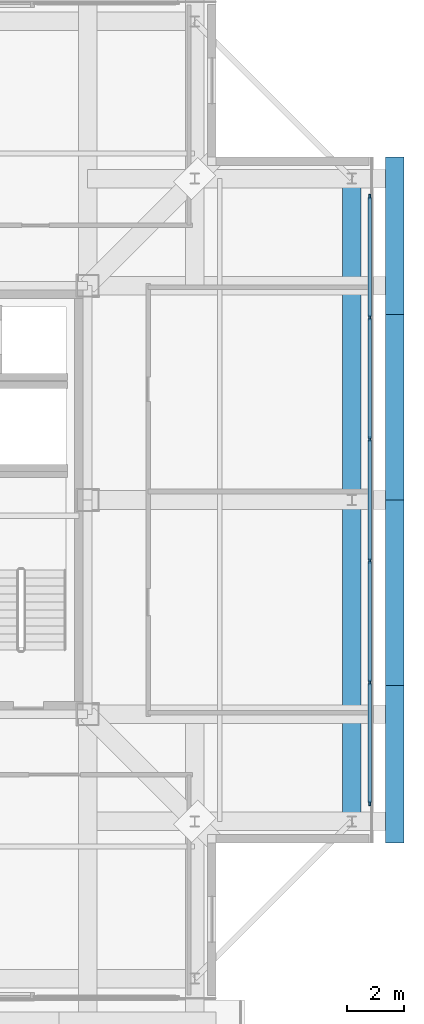
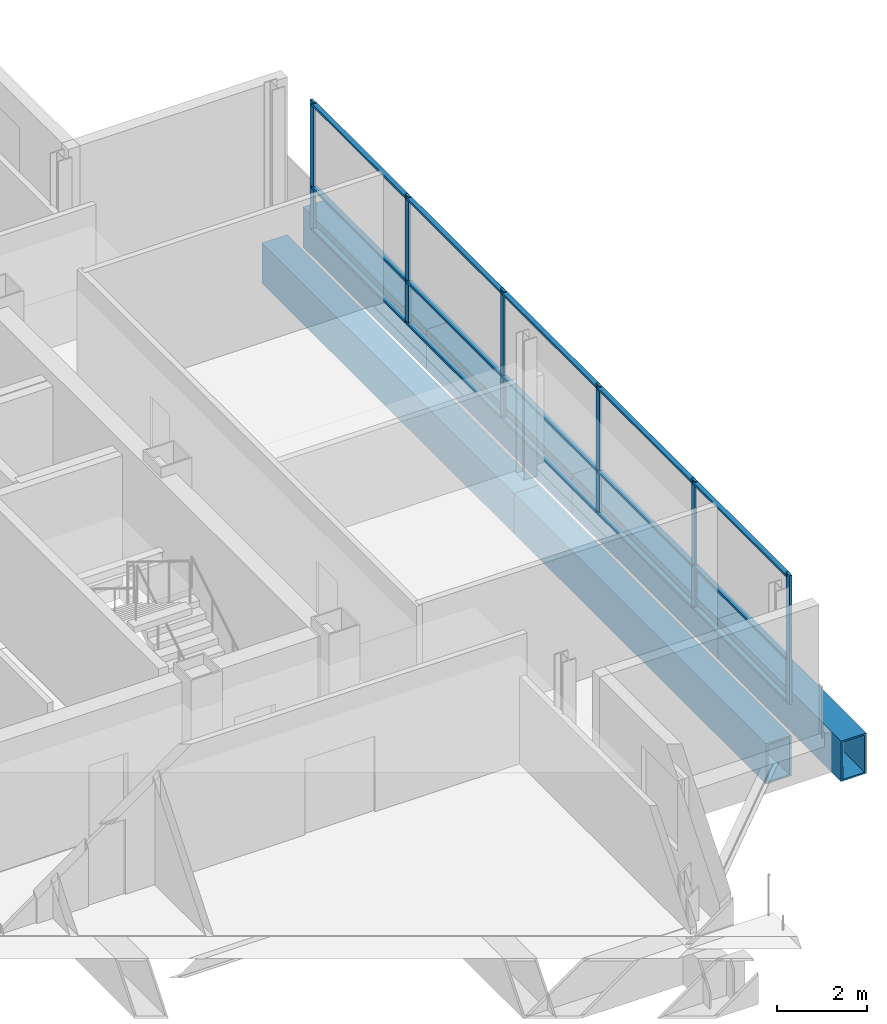
# One storey, part 6 of 15: 21 members, 6 beams, 1 element without a shape of its own.
"""IFC4 building model written with IfcOpenShell, lengths in metres."""

from ifc_helpers import new_model, si_unit, direction, frame, origin, origin_2d, place, context, subcontext, project, spatial, rectangle, hollow_rectangle, extrude, material, layer, layer_set, material_profile, profile_set, type_object, element, aggregate, save


model = new_model("IFC4")

# Units and contexts
model_context = context("Model", 3, precision=1e-05, world=origin(), true_north=direction((0.0, 1.0)))
body_context = subcontext(model_context, "Body", "Model", "MODEL_VIEW")
ifc_project = project(units=[si_unit("LENGTHUNIT", "METRE"), si_unit("AREAUNIT", "SQUARE_METRE"), si_unit("VOLUMEUNIT", "CUBIC_METRE"), si_unit("PLANEANGLEUNIT", "RADIAN"), si_unit("MASSUNIT", "GRAM", prefix="KILO")], contexts=[model_context])

# Site, building, storey
site_placement = place(None, origin())
site = spatial("IfcSite", under=ifc_project, at=site_placement, CompositionType="ELEMENT")
building_placement = place(site_placement, origin())
building = spatial("IfcBuilding", under=site, at=building_placement, Name="Trevonay Congress Spire", CompositionType="ELEMENT")
storey_placement = place(building_placement, frame((0.0, 0.0, 300.800048828125)))
storey = spatial("IfcBuildingStorey", under=building, at=storey_placement, Name="L79", CompositionType="ELEMENT", Elevation=300.800048828125)

# Beams
ifc_material_1 = material(Name="Steel ASTM A572 Grade 50", Category="steel")
ifc_material_profile_1 = material_profile(ifc_material_1, hollow_rectangle(XDim=0.64990234375, YDim=1.10009765625, WallThickness=0.044921875, at=origin_2d()), Name="BOX 1100x650x45")
ifc_profile_set_1 = profile_set([ifc_material_profile_1], Name="Steel ASTM A572 Grade 50")
beam_type = type_object("IfcBeamType", Name="BM-RING-BOX1100", PredefinedType="BEAM", material=ifc_profile_set_1)
for number, where, z_axis, x_axis, name in (
    (1, (16.75, -11.25, -0.949951171875), (0.0, 1.0, 0.0), (-1.0, 0.0, 0.0), "L79 structural beam BM-L79-PE1"),
    (2, (16.75, 0.0, -0.949951171875), (0.0, 1.0, 0.0), (-1.0, 0.0, 0.0), "L79 structural beam BM-L79-PE2"),
):
    element("IfcBeam", number, at=place(storey_placement, frame(where, z_axis=z_axis, x_axis=x_axis)), inside=storey, type_object=beam_type, Name=name, PredefinedType="BEAM", context=body_context, shape_type="SweptSolid", body=[
        extrude(hollow_rectangle(XDim=0.64990234375, YDim=1.10009765625, WallThickness=0.044921875, at=origin_2d()), origin(), (0.0, 0.0, 1.0), 11.25),
    ])
beam_1_placement = place(storey_placement, frame((18.25, -12.0, -0.949951171875), z_axis=(0.0, 1.0, 0.0), x_axis=(-1.0, 0.0, 0.0)))
element("IfcBeam", 3, at=beam_1_placement, inside=storey, type_object=beam_type, Name="L79 structural beam XOUT-L79-E0", PredefinedType="BEAM", context=body_context, shape_type="SweptSolid", body=[
    extrude(hollow_rectangle(XDim=0.64990234375, YDim=1.10009765625, WallThickness=0.044921875, at=origin_2d()), origin(), (0.0, 0.0, 1.0), 5.5),
])
for number, where, z_axis, x_axis, name in (
    (4, (18.25, -6.5, -0.949951171875), (0.0, 1.0, 0.0), (-1.0, 0.0, 0.0), "L79 structural beam XOUT-L79-E1"),
    (5, (18.25, 0.0, -0.949951171875), (0.0, 1.0, 0.0), (-1.0, 0.0, 0.0), "L79 structural beam XOUT-L79-E2"),
):
    element("IfcBeam", number, at=place(storey_placement, frame(where, z_axis=z_axis, x_axis=x_axis)), inside=storey, type_object=beam_type, Name=name, PredefinedType="BEAM", context=body_context, shape_type="SweptSolid", body=[
        extrude(hollow_rectangle(XDim=0.64990234375, YDim=1.10009765625, WallThickness=0.044921875, at=origin_2d()), origin(), (0.0, 0.0, 1.0), 6.5),
    ])
beam_2_placement = place(storey_placement, frame((18.25, 6.5, -0.949951171875), z_axis=(0.0, 1.0, 0.0), x_axis=(-1.0, 0.0, 0.0)))
element("IfcBeam", 6, at=beam_2_placement, inside=storey, type_object=beam_type, Name="L79 structural beam XOUT-L79-E3", PredefinedType="BEAM", context=body_context, shape_type="SweptSolid", body=[
    extrude(hollow_rectangle(XDim=0.64990234375, YDim=1.10009765625, WallThickness=0.044921875, at=origin_2d()), origin(), (0.0, 0.0, 1.0), 5.5),
])

# Curtain wall, members
ifc_material_2 = material(Name="Pale Anodised Aluminium EN AW-6063-T6", Category="aluminium")
ifc_layer = layer(ifc_material_2, 0.159912109375, Name="Pale Anodised Aluminium EN AW-6063-T6")
ifc_layer_set = layer_set([ifc_layer], Name="Pale Anodised Aluminium EN AW-6063-T6")
curtain_wall_type = type_object("IfcCurtainWallType", Name="CW-SYS06-CROWN-PALE-METAL", PredefinedType="NOTDEFINED", material=ifc_layer_set)
curtain_wall_placement = place(storey_placement, origin())
curtain_wall = element("IfcCurtainWall", 7, at=curtain_wall_placement, inside=storey, type_object=curtain_wall_type, Name="L79 E unitised curtain wall", PredefinedType="NOTDEFINED")
ifc_material_profile_2 = material_profile(ifc_material_2, rectangle(XDim=0.06005859375, YDim=0.159912109375, at=origin_2d()), Name="CW-MULLION-160-ALUMINIUM")
ifc_profile_set_2 = profile_set([ifc_material_profile_2], Name="Pale Anodised Aluminium EN AW-6063-T6")
member_type_1 = type_object("IfcMemberType", Name="CW-MULLION-160-ALUMINIUM", PredefinedType="MULLION", material=ifc_profile_set_2)
member_1_placement = place(storey_placement, frame((17.3798828125, -10.6201171875, 0.0), z_axis=(0.0, 0.0, 1.0), x_axis=(-1.0, 0.0, 0.0)))
member_1 = element("IfcMember", 8, at=member_1_placement, type_object=member_type_1, Name="CW06 mullion 1", PredefinedType="MULLION", context=body_context, shape_type="SweptSolid", body=[
    extrude(rectangle(XDim=0.06005859375, YDim=0.159912109375, at=origin_2d()), origin(), (0.0, 0.0, 1.0), 3.52001953125),
])
member_2_placement = place(storey_placement, frame((17.3798828125, -6.389892578125, 0.0), z_axis=(0.0, 0.0, 1.0), x_axis=(-1.0, 0.0, 0.0)))
member_2 = element("IfcMember", 9, at=member_2_placement, type_object=member_type_1, Name="CW06 mullion 2", PredefinedType="MULLION", context=body_context, shape_type="SweptSolid", body=[
    extrude(rectangle(XDim=0.06005859375, YDim=0.159912109375, at=origin_2d()), origin(), (0.0, 0.0, 1.0), 3.52001953125),
])
member_3_placement = place(storey_placement, frame((17.3798828125, -2.1298828125, 0.0), z_axis=(0.0, 0.0, 1.0), x_axis=(-1.0, 0.0, 0.0)))
member_3 = element("IfcMember", 10, at=member_3_placement, type_object=member_type_1, Name="CW06 mullion 3", PredefinedType="MULLION", context=body_context, shape_type="SweptSolid", body=[
    extrude(rectangle(XDim=0.06005859375, YDim=0.159912109375, at=origin_2d()), origin(), (0.0, 0.0, 1.0), 3.52001953125),
])
member_4_placement = place(storey_placement, frame((17.3798828125, 2.1298828125, 0.0), z_axis=(0.0, 0.0, 1.0), x_axis=(-1.0, 0.0, 0.0)))
member_4 = element("IfcMember", 11, at=member_4_placement, type_object=member_type_1, Name="CW06 mullion 4", PredefinedType="MULLION", context=body_context, shape_type="SweptSolid", body=[
    extrude(rectangle(XDim=0.06005859375, YDim=0.159912109375, at=origin_2d()), origin(), (0.0, 0.0, 1.0), 3.52001953125),
])
member_5_placement = place(storey_placement, frame((17.3798828125, 6.389892578125, 0.0), z_axis=(0.0, 0.0, 1.0), x_axis=(-1.0, 0.0, 0.0)))
member_5 = element("IfcMember", 12, at=member_5_placement, type_object=member_type_1, Name="CW06 mullion 5", PredefinedType="MULLION", context=body_context, shape_type="SweptSolid", body=[
    extrude(rectangle(XDim=0.06005859375, YDim=0.159912109375, at=origin_2d()), origin(), (0.0, 0.0, 1.0), 3.52001953125),
])
member_6_placement = place(storey_placement, frame((17.3798828125, 10.6201171875, 0.0), z_axis=(0.0, 0.0, 1.0), x_axis=(-1.0, 0.0, 0.0)))
member_6 = element("IfcMember", 13, at=member_6_placement, type_object=member_type_1, Name="CW06 mullion 6", PredefinedType="MULLION", context=body_context, shape_type="SweptSolid", body=[
    extrude(rectangle(XDim=0.06005859375, YDim=0.159912109375, at=origin_2d()), origin(), (0.0, 0.0, 1.0), 3.52001953125),
])
ifc_material_profile_3 = material_profile(ifc_material_2, rectangle(XDim=0.1201171875, YDim=0.06005859375, at=origin_2d()), Name="CW-TRANSOM-120-ALUMINIUM")
ifc_profile_set_3 = profile_set([ifc_material_profile_3], Name="Pale Anodised Aluminium EN AW-6063-T6")
member_type_2 = type_object("IfcMemberType", Name="CW-TRANSOM-120-ALUMINIUM", PredefinedType="USERDEFINED", material=ifc_profile_set_3)
member_7_placement = place(storey_placement, frame((17.3798828125, -10.590087890625, 0.06005859375), z_axis=(0.0, 1.0, 0.0), x_axis=(-1.0, 0.0, 0.0)))
member_7 = element("IfcMember", 14, at=member_7_placement, type_object=member_type_2, Name="CW06 transom 1.1", ObjectType="TRANSOM", PredefinedType="USERDEFINED", context=body_context, shape_type="SweptSolid", body=[
    extrude(rectangle(XDim=0.1201171875, YDim=0.06005859375, at=origin_2d()), origin(), (0.0, 0.0, 1.0), 4.170166015625),
])
member_8_placement = place(storey_placement, frame((17.3798828125, -10.590087890625, 1.19677734375), z_axis=(0.0, 1.0, 0.0), x_axis=(-1.0, 0.0, 0.0)))
member_8 = element("IfcMember", 15, at=member_8_placement, type_object=member_type_2, Name="CW06 transom 1.2", ObjectType="TRANSOM", PredefinedType="USERDEFINED", context=body_context, shape_type="SweptSolid", body=[
    extrude(rectangle(XDim=0.1201171875, YDim=0.06005859375, at=origin_2d()), origin(), (0.0, 0.0, 1.0), 4.170166015625),
])
member_9_placement = place(storey_placement, frame((17.3798828125, -10.590087890625, 3.4599609375), z_axis=(0.0, 1.0, 0.0), x_axis=(-1.0, 0.0, 0.0)))
member_9 = element("IfcMember", 16, at=member_9_placement, type_object=member_type_2, Name="CW06 transom 1.3", ObjectType="TRANSOM", PredefinedType="USERDEFINED", context=body_context, shape_type="SweptSolid", body=[
    extrude(rectangle(XDim=0.1201171875, YDim=0.06005859375, at=origin_2d()), origin(), (0.0, 0.0, 1.0), 4.170166015625),
])
member_10_placement = place(storey_placement, frame((17.3798828125, -6.360107421875, 0.06005859375), z_axis=(0.0, 1.0, 0.0), x_axis=(-1.0, 0.0, 0.0)))
member_10 = element("IfcMember", 17, at=member_10_placement, type_object=member_type_2, Name="CW06 transom 2.1", ObjectType="TRANSOM", PredefinedType="USERDEFINED", context=body_context, shape_type="SweptSolid", body=[
    extrude(rectangle(XDim=0.1201171875, YDim=0.06005859375, at=origin_2d()), origin(), (0.0, 0.0, 1.0), 4.2001953125),
])
member_11_placement = place(storey_placement, frame((17.3798828125, -6.360107421875, 1.19677734375), z_axis=(0.0, 1.0, 0.0), x_axis=(-1.0, 0.0, 0.0)))
member_11 = element("IfcMember", 18, at=member_11_placement, type_object=member_type_2, Name="CW06 transom 2.2", ObjectType="TRANSOM", PredefinedType="USERDEFINED", context=body_context, shape_type="SweptSolid", body=[
    extrude(rectangle(XDim=0.1201171875, YDim=0.06005859375, at=origin_2d()), origin(), (0.0, 0.0, 1.0), 4.2001953125),
])
member_12_placement = place(storey_placement, frame((17.3798828125, -6.360107421875, 3.4599609375), z_axis=(0.0, 1.0, 0.0), x_axis=(-1.0, 0.0, 0.0)))
member_12 = element("IfcMember", 19, at=member_12_placement, type_object=member_type_2, Name="CW06 transom 2.3", ObjectType="TRANSOM", PredefinedType="USERDEFINED", context=body_context, shape_type="SweptSolid", body=[
    extrude(rectangle(XDim=0.1201171875, YDim=0.06005859375, at=origin_2d()), origin(), (0.0, 0.0, 1.0), 4.2001953125),
])
member_13_placement = place(storey_placement, frame((17.3798828125, -2.10009765625, 0.06005859375), z_axis=(0.0, 1.0, 0.0), x_axis=(-1.0, 0.0, 0.0)))
member_13 = element("IfcMember", 20, at=member_13_placement, type_object=member_type_2, Name="CW06 transom 3.1", ObjectType="TRANSOM", PredefinedType="USERDEFINED", context=body_context, shape_type="SweptSolid", body=[
    extrude(rectangle(XDim=0.1201171875, YDim=0.06005859375, at=origin_2d()), origin(), (0.0, 0.0, 1.0), 4.2001953125),
])
member_14_placement = place(storey_placement, frame((17.3798828125, -2.10009765625, 1.19677734375), z_axis=(0.0, 1.0, 0.0), x_axis=(-1.0, 0.0, 0.0)))
member_14 = element("IfcMember", 21, at=member_14_placement, type_object=member_type_2, Name="CW06 transom 3.2", ObjectType="TRANSOM", PredefinedType="USERDEFINED", context=body_context, shape_type="SweptSolid", body=[
    extrude(rectangle(XDim=0.1201171875, YDim=0.06005859375, at=origin_2d()), origin(), (0.0, 0.0, 1.0), 4.2001953125),
])
member_15_placement = place(storey_placement, frame((17.3798828125, -2.10009765625, 3.4599609375), z_axis=(0.0, 1.0, 0.0), x_axis=(-1.0, 0.0, 0.0)))
member_15 = element("IfcMember", 22, at=member_15_placement, type_object=member_type_2, Name="CW06 transom 3.3", ObjectType="TRANSOM", PredefinedType="USERDEFINED", context=body_context, shape_type="SweptSolid", body=[
    extrude(rectangle(XDim=0.1201171875, YDim=0.06005859375, at=origin_2d()), origin(), (0.0, 0.0, 1.0), 4.2001953125),
])
member_16_placement = place(storey_placement, frame((17.3798828125, 2.159912109375, 0.06005859375), z_axis=(0.0, 1.0, 0.0), x_axis=(-1.0, 0.0, 0.0)))
member_16 = element("IfcMember", 23, at=member_16_placement, type_object=member_type_2, Name="CW06 transom 4.1", ObjectType="TRANSOM", PredefinedType="USERDEFINED", context=body_context, shape_type="SweptSolid", body=[
    extrude(rectangle(XDim=0.1201171875, YDim=0.06005859375, at=origin_2d()), origin(), (0.0, 0.0, 1.0), 4.2001953125),
])
member_17_placement = place(storey_placement, frame((17.3798828125, 2.159912109375, 1.19677734375), z_axis=(0.0, 1.0, 0.0), x_axis=(-1.0, 0.0, 0.0)))
member_17 = element("IfcMember", 24, at=member_17_placement, type_object=member_type_2, Name="CW06 transom 4.2", ObjectType="TRANSOM", PredefinedType="USERDEFINED", context=body_context, shape_type="SweptSolid", body=[
    extrude(rectangle(XDim=0.1201171875, YDim=0.06005859375, at=origin_2d()), origin(), (0.0, 0.0, 1.0), 4.2001953125),
])
member_18_placement = place(storey_placement, frame((17.3798828125, 2.159912109375, 3.4599609375), z_axis=(0.0, 1.0, 0.0), x_axis=(-1.0, 0.0, 0.0)))
member_18 = element("IfcMember", 25, at=member_18_placement, type_object=member_type_2, Name="CW06 transom 4.3", ObjectType="TRANSOM", PredefinedType="USERDEFINED", context=body_context, shape_type="SweptSolid", body=[
    extrude(rectangle(XDim=0.1201171875, YDim=0.06005859375, at=origin_2d()), origin(), (0.0, 0.0, 1.0), 4.2001953125),
])
member_19_placement = place(storey_placement, frame((17.3798828125, 6.419921875, 0.06005859375), z_axis=(0.0, 1.0, 0.0), x_axis=(-1.0, 0.0, 0.0)))
member_19 = element("IfcMember", 26, at=member_19_placement, type_object=member_type_2, Name="CW06 transom 5.1", ObjectType="TRANSOM", PredefinedType="USERDEFINED", context=body_context, shape_type="SweptSolid", body=[
    extrude(rectangle(XDim=0.1201171875, YDim=0.06005859375, at=origin_2d()), origin(), (0.0, 0.0, 1.0), 4.170166015625),
])
member_20_placement = place(storey_placement, frame((17.3798828125, 6.419921875, 1.19677734375), z_axis=(0.0, 1.0, 0.0), x_axis=(-1.0, 0.0, 0.0)))
member_20 = element("IfcMember", 27, at=member_20_placement, type_object=member_type_2, Name="CW06 transom 5.2", ObjectType="TRANSOM", PredefinedType="USERDEFINED", context=body_context, shape_type="SweptSolid", body=[
    extrude(rectangle(XDim=0.1201171875, YDim=0.06005859375, at=origin_2d()), origin(), (0.0, 0.0, 1.0), 4.170166015625),
])
member_21_placement = place(storey_placement, frame((17.3798828125, 6.419921875, 3.4599609375), z_axis=(0.0, 1.0, 0.0), x_axis=(-1.0, 0.0, 0.0)))
member_21 = element("IfcMember", 28, at=member_21_placement, type_object=member_type_2, Name="CW06 transom 5.3", ObjectType="TRANSOM", PredefinedType="USERDEFINED", context=body_context, shape_type="SweptSolid", body=[
    extrude(rectangle(XDim=0.1201171875, YDim=0.06005859375, at=origin_2d()), origin(), (0.0, 0.0, 1.0), 4.170166015625),
])
aggregate(curtain_wall, [member_1, member_2, member_3, member_4, member_5, member_6, member_7, member_8, member_9, member_10, member_11, member_12, member_13, member_14, member_15, member_16, member_17, member_18, member_19, member_20, member_21])

save(model, "model.ifc")
